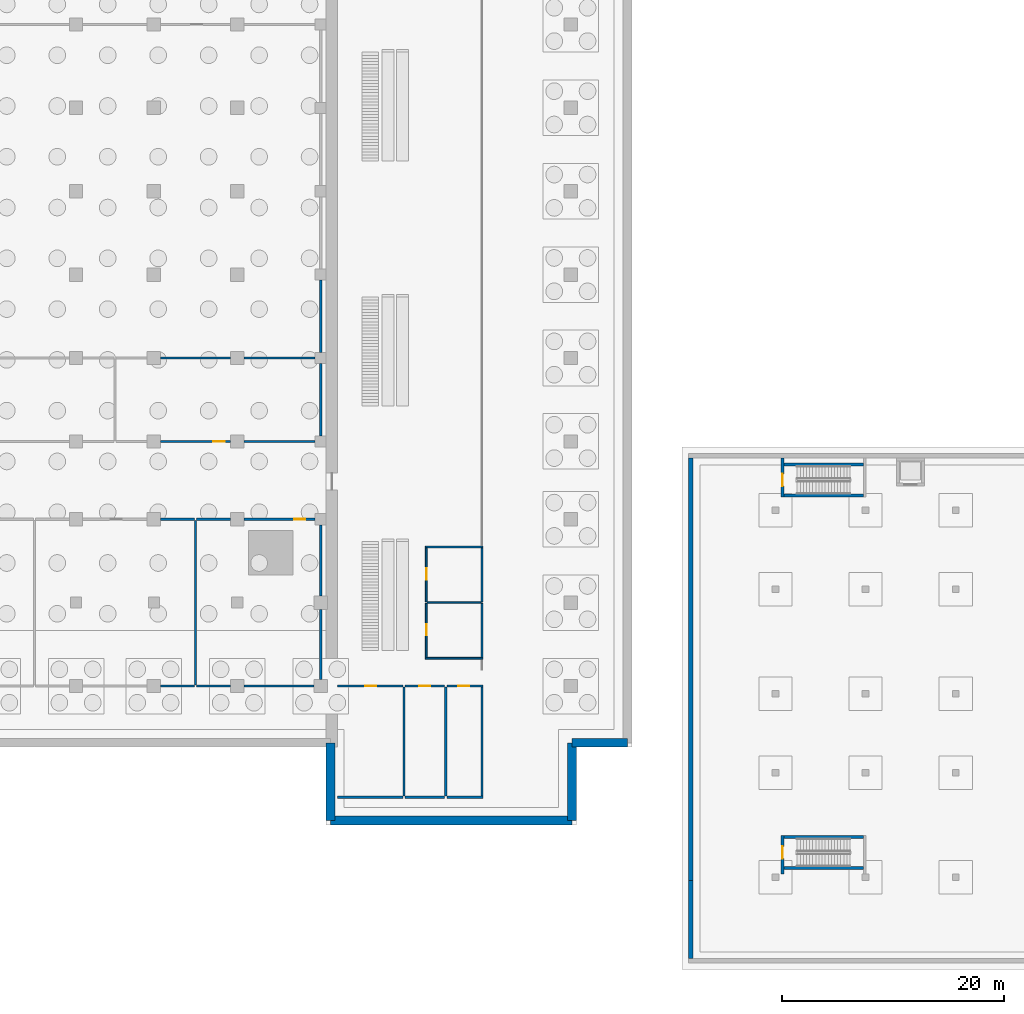
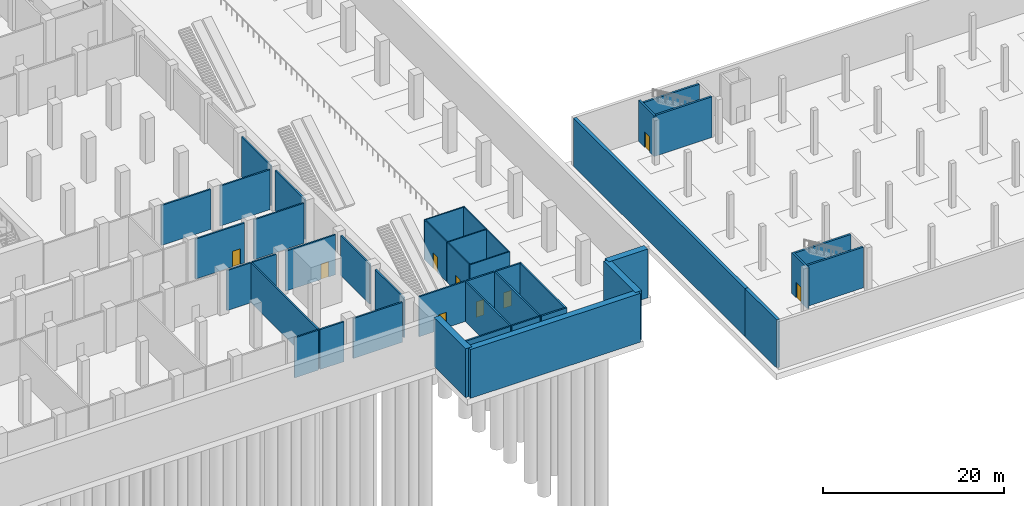
# One storey, part 8 of 39: 43 walls, 9 doors, 9 openings.
"""IFC4 building model written with IfcOpenShell, lengths in metres."""

from ifc_helpers import new_model, si_unit, direction, frame, frame_2d, origin, place, context, subcontext, project, spatial, rectangle, extrude, material, layer, layer_set, type_object, element, fill, save


model = new_model("IFC4")

# Units and contexts
model_context = context("Model", 3, precision=1e-05, world=origin(), true_north=direction((0.0, 1.0)))
body_context = subcontext(model_context, "Body", "Model", "MODEL_VIEW")
ifc_project = project(units=[si_unit("LENGTHUNIT", "METRE"), si_unit("AREAUNIT", "SQUARE_METRE"), si_unit("VOLUMEUNIT", "CUBIC_METRE"), si_unit("PLANEANGLEUNIT", "RADIAN"), si_unit("MASSUNIT", "GRAM", prefix="KILO")], contexts=[model_context])

# Site, building, storey
site_placement = place(None, origin())
site = spatial("IfcSite", under=ifc_project, at=site_placement, CompositionType="ELEMENT")
building_placement = place(site_placement, origin())
building = spatial("IfcBuilding", under=site, at=building_placement, Name="Tamorin Gate", CompositionType="ELEMENT")
storey_placement = place(building_placement, frame((0.0, 0.0, -12.0)))
storey = spatial("IfcBuildingStorey", under=building, at=storey_placement, Name="B2", CompositionType="ELEMENT", Elevation=-12.0)

# Walls
ifc_material_1 = material(Name="Concrete C40/50", Category="concrete")
ifc_layer_1 = layer(ifc_material_1, 0.39990234375)
ifc_layer_set_1 = layer_set([ifc_layer_1], Name="Car park retaining wall 400 C40/50")
wall_type_1 = type_object("IfcWallType", Name="Car park retaining wall 400 C40/50", PredefinedType="SHEAR", material=ifc_layer_set_1)
wall_1_placement = place(storey_placement, frame((122.800048828125, 13.0, -0.5), z_axis=(0.0, 0.0, 1.0), x_axis=(0.0, 1.0, 0.0)))
element("IfcWall", 1, at=wall_1_placement, inside=storey, type_object=wall_type_1, Name="Retaining wall B2", PredefinedType="SHEAR", context=body_context, shape_type="SweptSolid", body=[
    extrude(rectangle(XDim=38.0, YDim=0.39990234375, at=frame_2d((19.0, 0.0))), origin(), (0.0, 0.0, 1.0), 6.5),
])
wall_2_placement = place(storey_placement, frame((122.800048828125, 6.0, -0.5), z_axis=(0.0, 0.0, 1.0), x_axis=(0.0, 1.0, 0.0)))
element("IfcWall", 2, at=wall_2_placement, inside=storey, type_object=wall_type_1, Name="Retaining wall B2", PredefinedType="SHEAR", context=body_context, shape_type="SweptSolid", body=[
    extrude(rectangle(XDim=7.0, YDim=0.39990234375, at=frame_2d((3.5, 0.0))), origin(), (0.0, 0.0, 1.0), 6.5),
])
ifc_material_2 = material(Name="Concrete masonry C20/25", Category="masonry")
ifc_layer_2 = layer(ifc_material_2, 0.14990234375)
ifc_layer_set_2 = layer_set([ifc_layer_2], Name="Partition 150")
wall_type_2 = type_object("IfcWallType", Name="Partition 150", PredefinedType="PARTITIONING", material=ifc_layer_set_2)
wall_3_placement = place(storey_placement, frame((98.925048828125, 33.0, 0.0), z_axis=(0.0, 0.0, 1.0), x_axis=(1.0, 0.0, 0.0)))
element("IfcWall", 3, at=wall_3_placement, inside=storey, type_object=wall_type_2, Name="Partition 150 B2", PredefinedType="PARTITIONING", context=body_context, shape_type="SweptSolid", body=[
    extrude(rectangle(XDim=5.14990234375, YDim=0.14990234375, at=frame_2d((2.574951171875, 0.0))), origin(), (0.0, 0.0, 1.0), 5.39990234375),
])
wall_4_placement = place(storey_placement, frame((99.074951171875, 38.0, 0.0), z_axis=(0.0, 0.0, 1.0), x_axis=(1.0, 0.0, 0.0)))
element("IfcWall", 4, at=wall_4_placement, inside=storey, type_object=wall_type_2, Name="Partition 150 B2", PredefinedType="PARTITIONING", context=body_context, shape_type="SweptSolid", body=[
    extrude(rectangle(XDim=4.85009765625, YDim=0.14990234375, at=frame_2d((2.425048828125, 0.0))), origin(), (0.0, 0.0, 1.0), 5.39990234375),
])
wall_5_placement = place(storey_placement, frame((98.925048828125, 43.0, 0.0), z_axis=(0.0, 0.0, 1.0), x_axis=(1.0, 0.0, 0.0)))
element("IfcWall", 5, at=wall_5_placement, inside=storey, type_object=wall_type_2, Name="Partition 150 B2", PredefinedType="PARTITIONING", context=body_context, shape_type="SweptSolid", body=[
    extrude(rectangle(XDim=5.14990234375, YDim=0.14990234375, at=frame_2d((2.574951171875, 0.0))), origin(), (0.0, 0.0, 1.0), 5.39990234375),
])

# Wall, opening, door
wall_6_placement = place(storey_placement, frame((99.0, 33.074951171875, 0.0), z_axis=(0.0, 0.0, 1.0), x_axis=(0.0, 1.0, 0.0)))
wall_6 = element("IfcWall", 6, at=wall_6_placement, inside=storey, type_object=wall_type_2, Name="Partition 150 B2", PredefinedType="PARTITIONING", context=body_context, shape_type="SweptSolid", body=[
    extrude(rectangle(XDim=4.85009765625, YDim=0.14990234375, at=frame_2d((2.425048828125, 0.0))), origin(), (0.0, 0.0, 1.0), 5.39990234375),
])
opening_1_placement = place(wall_6_placement, frame((2.0, 0.0, 0.0)))
opening_1 = element("IfcOpeningElement", 7, at=opening_1_placement, cuts=wall_6, Name="Opening DP2", PredefinedType="OPENING", context=body_context, shape_type="SweptSolid", body=[
    extrude(rectangle(XDim=1.0, YDim=2.10009765625, at=frame_2d((0.5, 1.050048828125))), frame((0.0, 0.0849609375, 0.0), z_axis=(0.0, -1.0, 0.0), x_axis=(1.0, 0.0, 0.0)), (0.0, 0.0, 1.0), 0.169921875),
])
ifc_material_3 = material(Name="Painted steel", Category="steel")
door_type_1 = type_object("IfcDoorType", Name="Door single 1000", OperationType="SINGLE_SWING_LEFT", PredefinedType="DOOR", material=ifc_material_3)
door_1_placement = place(opening_1_placement, origin())
door_1 = element("IfcDoor", 8, at=door_1_placement, inside=storey, type_object=door_type_1, Name="Door single 1000 B2", OperationType="SINGLE_SWING_LEFT", OverallHeight=2.10009765625, OverallWidth=1.0, PredefinedType="DOOR", context=body_context, shape_type="SweptSolid", body=[
    extrude(rectangle(XDim=1.0, YDim=2.10009765625, at=frame_2d((0.5, 1.050048828125))), frame((0.0, 0.02490234375, 0.0), z_axis=(0.0, -1.0, 0.0), x_axis=(1.0, 0.0, 0.0)), (0.0, 0.0, 1.0), 0.050048828125),
])
fill(opening_1, door_1)

wall_7_placement = place(storey_placement, frame((99.0, 38.074951171875, 0.0), z_axis=(0.0, 0.0, 1.0), x_axis=(0.0, 1.0, 0.0)))
wall_7 = element("IfcWall", 9, at=wall_7_placement, inside=storey, type_object=wall_type_2, Name="Partition 150 B2", PredefinedType="PARTITIONING", context=body_context, shape_type="SweptSolid", body=[
    extrude(rectangle(XDim=4.85009765625, YDim=0.14990234375, at=frame_2d((2.425048828125, 0.0))), origin(), (0.0, 0.0, 1.0), 5.39990234375),
])
opening_2_placement = place(wall_7_placement, frame((2.0, 0.0, 0.0)))
opening_2 = element("IfcOpeningElement", 10, at=opening_2_placement, cuts=wall_7, Name="Opening DP2", PredefinedType="OPENING", context=body_context, shape_type="SweptSolid", body=[
    extrude(rectangle(XDim=1.0, YDim=2.10009765625, at=frame_2d((0.5, 1.050048828125))), frame((0.0, 0.0849609375, 0.0), z_axis=(0.0, -1.0, 0.0), x_axis=(1.0, 0.0, 0.0)), (0.0, 0.0, 1.0), 0.169921875),
])
door_2_placement = place(opening_2_placement, origin())
door_2 = element("IfcDoor", 11, at=door_2_placement, inside=storey, type_object=door_type_1, Name="Door single 1000 B2", OperationType="SINGLE_SWING_LEFT", OverallHeight=2.10009765625, OverallWidth=1.0, PredefinedType="DOOR", context=body_context, shape_type="SweptSolid", body=[
    extrude(rectangle(XDim=1.0, YDim=2.10009765625, at=frame_2d((0.5, 1.050048828125))), frame((0.0, 0.02490234375, 0.0), z_axis=(0.0, -1.0, 0.0), x_axis=(1.0, 0.0, 0.0)), (0.0, 0.0, 1.0), 0.050048828125),
])
fill(opening_2, door_2)

# Walls
for number, where, z_axis, x_axis, name in (
    (12, (104.0, 33.074951171875, 0.0), (0.0, 0.0, 1.0), (0.0, 1.0, 0.0), "Partition 150 B2"),
    (13, (104.0, 38.074951171875, 0.0), (0.0, 0.0, 1.0), (0.0, 1.0, 0.0), "Partition 150 B2"),
):
    element("IfcWall", number, at=place(storey_placement, frame(where, z_axis=z_axis, x_axis=x_axis)), inside=storey, type_object=wall_type_2, Name=name, PredefinedType="PARTITIONING", context=body_context, shape_type="SweptSolid", body=[
        extrude(rectangle(XDim=4.85009765625, YDim=0.14990234375, at=frame_2d((2.425048828125, 0.0))), origin(), (0.0, 0.0, 1.0), 5.39990234375),
    ])
ifc_layer_3 = layer(ifc_material_2, 0.199951171875)
ifc_layer_set_3 = layer_set([ifc_layer_3], Name="Plant room wall 200")
wall_type_3 = type_object("IfcWallType", Name="Plant room wall 200", PredefinedType="PARTITIONING", material=ifc_layer_set_3)
for number, where, z_axis, x_axis, name in (
    (14, (75.10009765625, 45.5, 0.0), (0.0, 0.0, 1.0), (1.0, 0.0, 0.0), "Plant room wall 200 B2"),
    (15, (78.35009765625, 45.5, 0.0), (0.0, 0.0, 1.0), (1.0, 0.0, 0.0), "Plant room wall 200 B2"),
):
    element("IfcWall", number, at=place(storey_placement, frame(where, z_axis=z_axis, x_axis=x_axis)), inside=storey, type_object=wall_type_3, Name=name, PredefinedType="PARTITIONING", context=body_context, shape_type="SweptSolid", body=[
        extrude(rectangle(XDim=3.0498046875, YDim=0.199951171875, at=frame_2d((1.52490234375, 0.0))), origin(), (0.0, 0.0, 1.0), 5.39990234375),
    ])

# Wall, opening, door
wall_8_placement = place(storey_placement, frame((82.60009765625, 45.5, 0.0), z_axis=(0.0, 0.0, 1.0), x_axis=(1.0, 0.0, 0.0)))
wall_8 = element("IfcWall", 16, at=wall_8_placement, inside=storey, type_object=wall_type_3, Name="Plant room wall 200 B2", PredefinedType="PARTITIONING", context=body_context, shape_type="SweptSolid", body=[
    extrude(rectangle(XDim=6.39990234375, YDim=0.199951171875, at=frame_2d((3.199951171875, 0.0))), origin(), (0.0, 0.0, 1.0), 5.39990234375),
])
opening_3_placement = place(wall_8_placement, frame((4.5, 0.0, 0.0)))
opening_3 = element("IfcOpeningElement", 17, at=opening_3_placement, cuts=wall_8, Name="Opening DP2", PredefinedType="OPENING", context=body_context, shape_type="SweptSolid", body=[
    extrude(rectangle(XDim=1.0, YDim=2.10009765625, at=frame_2d((0.5, 1.050048828125))), frame((0.0, 0.10986328125, 0.0), z_axis=(0.0, -1.0, 0.0), x_axis=(1.0, 0.0, 0.0)), (0.0, 0.0, 1.0), 0.219970703125),
])
door_3_placement = place(opening_3_placement, origin())
door_3 = element("IfcDoor", 18, at=door_3_placement, inside=storey, type_object=door_type_1, Name="Door single 1000 B2", OperationType="SINGLE_SWING_LEFT", OverallHeight=2.10009765625, OverallWidth=1.0, PredefinedType="DOOR", context=body_context, shape_type="SweptSolid", body=[
    extrude(rectangle(XDim=1.0, YDim=2.10009765625, at=frame_2d((0.5, 1.050048828125))), frame((0.0, 0.02490234375, 0.0), z_axis=(0.0, -1.0, 0.0), x_axis=(1.0, 0.0, 0.0)), (0.0, 0.0, 1.0), 0.050048828125),
])
fill(opening_3, door_3)

wall_9_placement = place(storey_placement, frame((81.39990234375, 52.5, 0.0), z_axis=(0.0, 0.0, 1.0), x_axis=(-1.0, 0.0, 0.0)))
wall_9 = element("IfcWall", 19, at=wall_9_placement, inside=storey, type_object=wall_type_3, Name="Plant room wall 200 B2", PredefinedType="PARTITIONING", context=body_context, shape_type="SweptSolid", body=[
    extrude(rectangle(XDim=6.2998046875, YDim=0.199951171875, at=frame_2d((3.14990234375, 0.0))), origin(), (0.0, 0.0, 1.0), 5.39990234375),
])
opening_4_placement = place(wall_9_placement, frame((0.550048828125, 0.0, 0.0)))
opening_4 = element("IfcOpeningElement", 20, at=opening_4_placement, cuts=wall_9, Name="Opening DP2", PredefinedType="OPENING", context=body_context, shape_type="SweptSolid", body=[
    extrude(rectangle(XDim=1.0, YDim=2.10009765625, at=frame_2d((0.5, 1.050048828125))), frame((0.0, 0.10986328125, 0.0), z_axis=(0.0, -1.0, 0.0), x_axis=(1.0, 0.0, 0.0)), (0.0, 0.0, 1.0), 0.219970703125),
])
door_4_placement = place(opening_4_placement, origin())
door_4 = element("IfcDoor", 21, at=door_4_placement, inside=storey, type_object=door_type_1, Name="Door single 1000 B2", OperationType="SINGLE_SWING_LEFT", OverallHeight=2.10009765625, OverallWidth=1.0, PredefinedType="DOOR", context=body_context, shape_type="SweptSolid", body=[
    extrude(rectangle(XDim=1.0, YDim=2.10009765625, at=frame_2d((0.5, 1.050048828125))), frame((0.0, 0.02490234375, 0.0), z_axis=(0.0, -1.0, 0.0), x_axis=(1.0, 0.0, 0.0)), (0.0, 0.0, 1.0), 0.050048828125),
])
fill(opening_4, door_4)

# Walls
wall_10_placement = place(storey_placement, frame((82.60009765625, 52.5, 0.0), z_axis=(0.0, 0.0, 1.0), x_axis=(1.0, 0.0, 0.0)))
element("IfcWall", 22, at=wall_10_placement, inside=storey, type_object=wall_type_3, Name="Plant room wall 200 B2", PredefinedType="PARTITIONING", context=body_context, shape_type="SweptSolid", body=[
    extrude(rectangle(XDim=6.39990234375, YDim=0.199951171875, at=frame_2d((3.199951171875, 0.0))), origin(), (0.0, 0.0, 1.0), 5.39990234375),
])
for number, where, z_axis, x_axis, name in (
    (23, (75.10009765625, 30.5, 0.0), (0.0, 0.0, 1.0), (1.0, 0.0, 0.0), "Plant room wall 200 B2"),
    (24, (78.35009765625, 30.5, 0.0), (0.0, 0.0, 1.0), (1.0, 0.0, 0.0), "Plant room wall 200 B2"),
):
    element("IfcWall", number, at=place(storey_placement, frame(where, z_axis=z_axis, x_axis=x_axis)), inside=storey, type_object=wall_type_3, Name=name, PredefinedType="PARTITIONING", context=body_context, shape_type="SweptSolid", body=[
        extrude(rectangle(XDim=3.0498046875, YDim=0.199951171875, at=frame_2d((1.52490234375, 0.0))), origin(), (0.0, 0.0, 1.0), 5.39990234375),
    ])
wall_11_placement = place(storey_placement, frame((82.60009765625, 30.5, 0.0), z_axis=(0.0, 0.0, 1.0), x_axis=(1.0, 0.0, 0.0)))
element("IfcWall", 25, at=wall_11_placement, inside=storey, type_object=wall_type_3, Name="Plant room wall 200 B2", PredefinedType="PARTITIONING", context=body_context, shape_type="SweptSolid", body=[
    extrude(rectangle(XDim=6.2998046875, YDim=0.199951171875, at=frame_2d((3.14990234375, 0.0))), origin(), (0.0, 0.0, 1.0), 5.39990234375),
])

# Wall, opening, door
wall_12_placement = place(storey_placement, frame((91.0, 30.5, 0.0), z_axis=(0.0, 0.0, 1.0), x_axis=(1.0, 0.0, 0.0)))
wall_12 = element("IfcWall", 26, at=wall_12_placement, inside=storey, type_object=wall_type_3, Name="Plant room wall 200 B2", PredefinedType="PARTITIONING", context=body_context, shape_type="SweptSolid", body=[
    extrude(rectangle(XDim=5.89990234375, YDim=0.199951171875, at=frame_2d((2.949951171875, 0.0))), origin(), (0.0, 0.0, 1.0), 5.39990234375),
])
opening_5_placement = place(wall_12_placement, frame((2.5, 0.0, 0.0)))
opening_5 = element("IfcOpeningElement", 27, at=opening_5_placement, cuts=wall_12, Name="Opening DP2", PredefinedType="OPENING", context=body_context, shape_type="SweptSolid", body=[
    extrude(rectangle(XDim=1.0, YDim=2.10009765625, at=frame_2d((0.5, 1.050048828125))), frame((0.0, 0.10986328125, 0.0), z_axis=(0.0, -1.0, 0.0), x_axis=(1.0, 0.0, 0.0)), (0.0, 0.0, 1.0), 0.219970703125),
])
door_5_placement = place(opening_5_placement, origin())
door_5 = element("IfcDoor", 28, at=door_5_placement, inside=storey, type_object=door_type_1, Name="Door single 1000 B2", OperationType="SINGLE_SWING_LEFT", OverallHeight=2.10009765625, OverallWidth=1.0, PredefinedType="DOOR", context=body_context, shape_type="SweptSolid", body=[
    extrude(rectangle(XDim=1.0, YDim=2.10009765625, at=frame_2d((0.5, 1.050048828125))), frame((0.0, 0.02490234375, 0.0), z_axis=(0.0, -1.0, 0.0), x_axis=(1.0, 0.0, 0.0)), (0.0, 0.0, 1.0), 0.050048828125),
])
fill(opening_5, door_5)

wall_13_placement = place(storey_placement, frame((97.10009765625, 30.5, 0.0), z_axis=(0.0, 0.0, 1.0), x_axis=(1.0, 0.0, 0.0)))
wall_13 = element("IfcWall", 29, at=wall_13_placement, inside=storey, type_object=wall_type_3, Name="Plant room wall 200 B2", PredefinedType="PARTITIONING", context=body_context, shape_type="SweptSolid", body=[
    extrude(rectangle(XDim=3.5498046875, YDim=0.199951171875, at=frame_2d((1.77490234375, 0.0))), origin(), (0.0, 0.0, 1.0), 5.39990234375),
])
opening_6_placement = place(wall_13_placement, frame((1.25, 0.0, 0.0)))
opening_6 = element("IfcOpeningElement", 30, at=opening_6_placement, cuts=wall_13, Name="Opening DP2", PredefinedType="OPENING", context=body_context, shape_type="SweptSolid", body=[
    extrude(rectangle(XDim=1.0, YDim=2.10009765625, at=frame_2d((0.5, 1.050048828125))), frame((0.0, 0.10986328125, 0.0), z_axis=(0.0, -1.0, 0.0), x_axis=(1.0, 0.0, 0.0)), (0.0, 0.0, 1.0), 0.219970703125),
])
door_6_placement = place(opening_6_placement, origin())
door_6 = element("IfcDoor", 31, at=door_6_placement, inside=storey, type_object=door_type_1, Name="Door single 1000 B2", OperationType="SINGLE_SWING_LEFT", OverallHeight=2.10009765625, OverallWidth=1.0, PredefinedType="DOOR", context=body_context, shape_type="SweptSolid", body=[
    extrude(rectangle(XDim=1.0, YDim=2.10009765625, at=frame_2d((0.5, 1.050048828125))), frame((0.0, 0.02490234375, 0.0), z_axis=(0.0, -1.0, 0.0), x_axis=(1.0, 0.0, 0.0)), (0.0, 0.0, 1.0), 0.050048828125),
])
fill(opening_6, door_6)

wall_14_placement = place(storey_placement, frame((100.85009765625, 30.5, 0.0), z_axis=(0.0, 0.0, 1.0), x_axis=(1.0, 0.0, 0.0)))
wall_14 = element("IfcWall", 32, at=wall_14_placement, inside=storey, type_object=wall_type_3, Name="Plant room wall 200 B2", PredefinedType="PARTITIONING", context=body_context, shape_type="SweptSolid", body=[
    extrude(rectangle(XDim=3.25, YDim=0.199951171875, at=frame_2d((1.625, 0.0))), origin(), (0.0, 0.0, 1.0), 5.39990234375),
])
opening_7_placement = place(wall_14_placement, frame((1.0, 0.0, 0.0)))
opening_7 = element("IfcOpeningElement", 33, at=opening_7_placement, cuts=wall_14, Name="Opening DP2", PredefinedType="OPENING", context=body_context, shape_type="SweptSolid", body=[
    extrude(rectangle(XDim=1.0, YDim=2.10009765625, at=frame_2d((0.5, 1.050048828125))), frame((0.0, 0.10986328125, 0.0), z_axis=(0.0, -1.0, 0.0), x_axis=(1.0, 0.0, 0.0)), (0.0, 0.0, 1.0), 0.219970703125),
])
door_7_placement = place(opening_7_placement, origin())
door_7 = element("IfcDoor", 34, at=door_7_placement, inside=storey, type_object=door_type_1, Name="Door single 1000 B2", OperationType="SINGLE_SWING_LEFT", OverallHeight=2.10009765625, OverallWidth=1.0, PredefinedType="DOOR", context=body_context, shape_type="SweptSolid", body=[
    extrude(rectangle(XDim=1.0, YDim=2.10009765625, at=frame_2d((0.5, 1.050048828125))), frame((0.0, 0.02490234375, 0.0), z_axis=(0.0, -1.0, 0.0), x_axis=(1.0, 0.0, 0.0)), (0.0, 0.0, 1.0), 0.050048828125),
])
fill(opening_7, door_7)

# Walls
wall_15_placement = place(storey_placement, frame((75.10009765625, 60.0, 0.0), z_axis=(0.0, 0.0, 1.0), x_axis=(1.0, 0.0, 0.0)))
element("IfcWall", 35, at=wall_15_placement, inside=storey, type_object=wall_type_3, Name="Plant room wall 200 B2", PredefinedType="PARTITIONING", context=body_context, shape_type="SweptSolid", body=[
    extrude(rectangle(XDim=6.2998046875, YDim=0.199951171875, at=frame_2d((3.14990234375, 0.0))), origin(), (0.0, 0.0, 1.0), 5.39990234375),
])
wall_16_placement = place(storey_placement, frame((82.60009765625, 60.0, 0.0), z_axis=(0.0, 0.0, 1.0), x_axis=(1.0, 0.0, 0.0)))
element("IfcWall", 36, at=wall_16_placement, inside=storey, type_object=wall_type_3, Name="Plant room wall 200 B2", PredefinedType="PARTITIONING", context=body_context, shape_type="SweptSolid", body=[
    extrude(rectangle(XDim=6.39990234375, YDim=0.199951171875, at=frame_2d((3.199951171875, 0.0))), origin(), (0.0, 0.0, 1.0), 5.39990234375),
])
wall_17_placement = place(storey_placement, frame((91.0, 20.5, 0.0), z_axis=(0.0, 0.0, 1.0), x_axis=(1.0, 0.0, 0.0)))
element("IfcWall", 37, at=wall_17_placement, inside=storey, type_object=wall_type_3, Name="Plant room wall 200 B2", PredefinedType="PARTITIONING", context=body_context, shape_type="SweptSolid", body=[
    extrude(rectangle(XDim=5.89990234375, YDim=0.199951171875, at=frame_2d((2.949951171875, 0.0))), origin(), (0.0, 0.0, 1.0), 5.39990234375),
])
wall_18_placement = place(storey_placement, frame((97.10009765625, 20.5, 0.0), z_axis=(0.0, 0.0, 1.0), x_axis=(1.0, 0.0, 0.0)))
element("IfcWall", 38, at=wall_18_placement, inside=storey, type_object=wall_type_3, Name="Plant room wall 200 B2", PredefinedType="PARTITIONING", context=body_context, shape_type="SweptSolid", body=[
    extrude(rectangle(XDim=3.5498046875, YDim=0.199951171875, at=frame_2d((1.77490234375, 0.0))), origin(), (0.0, 0.0, 1.0), 5.39990234375),
])
wall_19_placement = place(storey_placement, frame((100.85009765625, 20.5, 0.0), z_axis=(0.0, 0.0, 1.0), x_axis=(1.0, 0.0, 0.0)))
element("IfcWall", 39, at=wall_19_placement, inside=storey, type_object=wall_type_3, Name="Plant room wall 200 B2", PredefinedType="PARTITIONING", context=body_context, shape_type="SweptSolid", body=[
    extrude(rectangle(XDim=3.25, YDim=0.199951171875, at=frame_2d((1.625, 0.0))), origin(), (0.0, 0.0, 1.0), 5.39990234375),
])
wall_20_placement = place(storey_placement, frame((89.5, 31.10009765625, 0.0), z_axis=(0.0, 0.0, 1.0), x_axis=(0.0, 1.0, 0.0)))
element("IfcWall", 40, at=wall_20_placement, inside=storey, type_object=wall_type_3, Name="Plant room wall 200 B2", PredefinedType="PARTITIONING", context=body_context, shape_type="SweptSolid", body=[
    extrude(rectangle(XDim=6.2998046875, YDim=0.199951171875, at=frame_2d((3.14990234375, 0.0))), origin(), (0.0, 0.0, 1.0), 5.39990234375),
])
wall_21_placement = place(storey_placement, frame((89.5, 38.60009765625, 0.0), z_axis=(0.0, 0.0, 1.0), x_axis=(0.0, 1.0, 0.0)))
element("IfcWall", 41, at=wall_21_placement, inside=storey, type_object=wall_type_3, Name="Plant room wall 200 B2", PredefinedType="PARTITIONING", context=body_context, shape_type="SweptSolid", body=[
    extrude(rectangle(XDim=6.39990234375, YDim=0.199951171875, at=frame_2d((3.199951171875, 0.0))), origin(), (0.0, 0.0, 1.0), 5.39990234375),
])
for number, where, z_axis, x_axis, name in (
    (42, (89.5, 53.0, 0.0), (0.0, 0.0, 1.0), (0.0, 1.0, 0.0), "Plant room wall 200 B2"),
    (43, (89.5, 60.5, 0.0), (0.0, 0.0, 1.0), (0.0, 1.0, 0.0), "Plant room wall 200 B2"),
):
    element("IfcWall", number, at=place(storey_placement, frame(where, z_axis=z_axis, x_axis=x_axis)), inside=storey, type_object=wall_type_3, Name=name, PredefinedType="PARTITIONING", context=body_context, shape_type="SweptSolid", body=[
        extrude(rectangle(XDim=6.5, YDim=0.199951171875, at=frame_2d((3.25, 0.0))), origin(), (0.0, 0.0, 1.0), 5.39990234375),
    ])
wall_22_placement = place(storey_placement, frame((78.25, 30.60009765625, 0.0), z_axis=(0.0, 0.0, 1.0), x_axis=(0.0, 1.0, 0.0)))
element("IfcWall", 44, at=wall_22_placement, inside=storey, type_object=wall_type_3, Name="Plant room wall 200 B2", PredefinedType="PARTITIONING", context=body_context, shape_type="SweptSolid", body=[
    extrude(rectangle(XDim=14.7998046875, YDim=0.199951171875, at=frame_2d((7.39990234375, 0.0))), origin(), (0.0, 0.0, 1.0), 5.39990234375),
])
for number, where, z_axis, x_axis, name in (
    (45, (104.0, 20.60009765625, 0.0), (0.0, 0.0, 1.0), (0.0, 1.0, 0.0), "Plant room wall 200 B2"),
    (46, (97.0, 20.60009765625, 0.0), (0.0, 0.0, 1.0), (0.0, 1.0, 0.0), "Plant room wall 200 B2"),
    (47, (100.75, 20.60009765625, 0.0), (0.0, 0.0, 1.0), (0.0, 1.0, 0.0), "Plant room wall 200 B2"),
):
    element("IfcWall", number, at=place(storey_placement, frame(where, z_axis=z_axis, x_axis=x_axis)), inside=storey, type_object=wall_type_3, Name=name, PredefinedType="PARTITIONING", context=body_context, shape_type="SweptSolid", body=[
        extrude(rectangle(XDim=9.7998046875, YDim=0.199951171875, at=frame_2d((4.89990234375, 0.0))), origin(), (0.0, 0.0, 1.0), 5.39990234375),
    ])
ifc_layer_4 = layer(ifc_material_1, 0.800048828125)
ifc_layer_set_4 = layer_set([ifc_layer_4], Name="RC basement wall 800 C40/50")
wall_type_4 = type_object("IfcWallType", Name="RC basement wall 800 C40/50", PredefinedType="SHEAR", material=ifc_layer_set_4)
wall_23_placement = place(storey_placement, frame((117.10009765625, 25.39990234375, -0.60009765625), z_axis=(0.0, 0.0, 1.0), x_axis=(-1.0, 0.0, 0.0)))
element("IfcWall", 48, at=wall_23_placement, inside=storey, type_object=wall_type_4, Name="Basement wall B2", PredefinedType="SHEAR", context=body_context, shape_type="SweptSolid", body=[
    extrude(rectangle(XDim=5.0, YDim=0.800048828125, at=frame_2d((2.5, 0.0))), origin(), (0.0, 0.0, 1.0), 6.60009765625),
])
wall_24_placement = place(storey_placement, frame((112.10009765625, 25.39990234375, -0.60009765625), z_axis=(0.0, 0.0, 1.0), x_axis=(0.0, -1.0, 0.0)))
element("IfcWall", 49, at=wall_24_placement, inside=storey, type_object=wall_type_4, Name="Basement wall B2", PredefinedType="SHEAR", context=body_context, shape_type="SweptSolid", body=[
    extrude(rectangle(XDim=7.0, YDim=0.800048828125, at=frame_2d((3.5, 0.0))), origin(), (0.0, 0.0, 1.0), 6.60009765625),
])
wall_25_placement = place(storey_placement, frame((112.10009765625, 18.39990234375, -0.60009765625), z_axis=(0.0, 0.0, 1.0), x_axis=(-1.0, 0.0, 0.0)))
element("IfcWall", 50, at=wall_25_placement, inside=storey, type_object=wall_type_4, Name="Basement wall B2", PredefinedType="SHEAR", context=body_context, shape_type="SweptSolid", body=[
    extrude(rectangle(XDim=21.7001953125, YDim=0.800048828125, at=frame_2d((10.85009765625, 0.0))), origin(), (0.0, 0.0, 1.0), 6.60009765625),
])
wall_26_placement = place(storey_placement, frame((90.39990234375, 18.39990234375, -0.60009765625), z_axis=(0.0, 0.0, 1.0), x_axis=(0.0, 1.0, 0.0)))
element("IfcWall", 51, at=wall_26_placement, inside=storey, type_object=wall_type_4, Name="Basement wall B2", PredefinedType="SHEAR", context=body_context, shape_type="SweptSolid", body=[
    extrude(rectangle(XDim=7.0, YDim=0.800048828125, at=frame_2d((3.5, 0.0))), origin(), (0.0, 0.0, 1.0), 6.60009765625),
])
ifc_layer_5 = layer(ifc_material_1, 0.25)
ifc_layer_set_5 = layer_set([ifc_layer_5], Name="Stair and lift enclosure wall 250 C40/50")
wall_type_5 = type_object("IfcWallType", Name="Stair and lift enclosure wall 250 C40/50", PredefinedType="SHEAR", material=ifc_layer_set_5)
for number, where, z_axis, x_axis, name in (
    (52, (131.14990234375, 14.125, 0.0), (0.0, 0.0, 1.0), (1.0, 0.0, 0.0), "Stair SB6 wall"),
    (53, (131.14990234375, 16.925048828125, 0.0), (0.0, 0.0, 1.0), (1.0, 0.0, 0.0), "Stair SB6 wall"),
):
    element("IfcWall", number, at=place(storey_placement, frame(where, z_axis=z_axis, x_axis=x_axis)), inside=storey, type_object=wall_type_5, Name=name, PredefinedType="SHEAR", context=body_context, shape_type="SweptSolid", body=[
        extrude(rectangle(XDim=7.16015625, YDim=0.25, at=frame_2d((3.580078125, 0.0))), origin(), (0.0, 0.0, 1.0), 5.5),
    ])

# Wall, opening, door
wall_27_placement = place(storey_placement, frame((131.02490234375, 13.60009765625, 0.0), z_axis=(0.0, 0.0, 1.0), x_axis=(0.0, 1.0, 0.0)))
wall_27 = element("IfcWall", 54, at=wall_27_placement, inside=storey, type_object=wall_type_5, Name="Stair SB6 wall", PredefinedType="SHEAR", context=body_context, shape_type="SweptSolid", body=[
    extrude(rectangle(XDim=3.449951171875, YDim=0.25, at=frame_2d((1.72509765625, 0.0))), origin(), (0.0, 0.0, 1.0), 5.5),
])
opening_8_placement = place(wall_27_placement, frame((1.375, 0.0, 0.0)))
opening_8 = element("IfcOpeningElement", 55, at=opening_8_placement, cuts=wall_27, Name="Opening DP8", PredefinedType="OPENING", context=body_context, shape_type="SweptSolid", body=[
    extrude(rectangle(XDim=1.10009765625, YDim=2.10009765625, at=frame_2d((0.550048828125, 1.050048828125))), frame((0.0, 0.135009765625, 0.0), z_axis=(0.0, -1.0, 0.0), x_axis=(1.0, 0.0, 0.0)), (0.0, 0.0, 1.0), 0.27001953125),
])
ifc_material_4 = material(Name="Steel, painted", Category="steel")
door_type_2 = type_object("IfcDoorType", Name="Stair door 1100x2100 FD90", OperationType="SINGLE_SWING_LEFT", PredefinedType="DOOR", material=ifc_material_4)
door_8_placement = place(opening_8_placement, origin())
door_8 = element("IfcDoor", 56, at=door_8_placement, inside=storey, type_object=door_type_2, Name="Stair door", OperationType="SINGLE_SWING_LEFT", OverallHeight=2.10009765625, OverallWidth=1.10009765625, PredefinedType="DOOR", context=body_context, shape_type="SweptSolid", body=[
    extrude(rectangle(XDim=1.10009765625, YDim=2.10009765625, at=frame_2d((0.550048828125, 1.050048828125))), frame((0.0, 0.02490234375, 0.0), z_axis=(0.0, -1.0, 0.0), x_axis=(1.0, 0.0, 0.0)), (0.0, 0.0, 1.0), 0.050048828125),
])
fill(opening_8, door_8)

# Walls
for number, where, z_axis, x_axis, name in (
    (57, (131.14990234375, 47.625, 0.0), (0.0, 0.0, 1.0), (1.0, 0.0, 0.0), "Stair SB7 wall"),
    (58, (131.14990234375, 50.425048828125, 0.0), (0.0, 0.0, 1.0), (1.0, 0.0, 0.0), "Stair SB7 wall"),
):
    element("IfcWall", number, at=place(storey_placement, frame(where, z_axis=z_axis, x_axis=x_axis)), inside=storey, type_object=wall_type_5, Name=name, PredefinedType="SHEAR", context=body_context, shape_type="SweptSolid", body=[
        extrude(rectangle(XDim=7.16015625, YDim=0.25, at=frame_2d((3.580078125, 0.0))), origin(), (0.0, 0.0, 1.0), 5.5),
    ])

# Wall, opening, door
wall_28_placement = place(storey_placement, frame((131.02490234375, 47.5, 0.0), z_axis=(0.0, 0.0, 1.0), x_axis=(0.0, 1.0, 0.0)))
wall_28 = element("IfcWall", 59, at=wall_28_placement, inside=storey, type_object=wall_type_5, Name="Stair SB7 wall", PredefinedType="SHEAR", context=body_context, shape_type="SweptSolid", body=[
    extrude(rectangle(XDim=3.5, YDim=0.25, at=frame_2d((1.75, 0.0))), origin(), (0.0, 0.0, 1.0), 5.5),
])
opening_9_placement = place(wall_28_placement, frame((0.97509765625, 0.0, 0.0)))
opening_9 = element("IfcOpeningElement", 60, at=opening_9_placement, cuts=wall_28, Name="Opening DP8", PredefinedType="OPENING", context=body_context, shape_type="SweptSolid", body=[
    extrude(rectangle(XDim=1.10009765625, YDim=2.10009765625, at=frame_2d((0.550048828125, 1.050048828125))), frame((0.0, 0.135009765625, 0.0), z_axis=(0.0, -1.0, 0.0), x_axis=(1.0, 0.0, 0.0)), (0.0, 0.0, 1.0), 0.27001953125),
])
door_9_placement = place(opening_9_placement, origin())
door_9 = element("IfcDoor", 61, at=door_9_placement, inside=storey, type_object=door_type_2, Name="Stair door", OperationType="SINGLE_SWING_RIGHT", OverallHeight=2.10009765625, OverallWidth=1.10009765625, PredefinedType="DOOR", context=body_context, shape_type="SweptSolid", body=[
    extrude(rectangle(XDim=1.10009765625, YDim=2.10009765625, at=frame_2d((0.550048828125, 1.050048828125))), frame((0.0, 0.02490234375, 0.0), z_axis=(0.0, -1.0, 0.0), x_axis=(1.0, 0.0, 0.0)), (0.0, 0.0, 1.0), 0.050048828125),
])
fill(opening_9, door_9)

save(model, "model.ifc")
